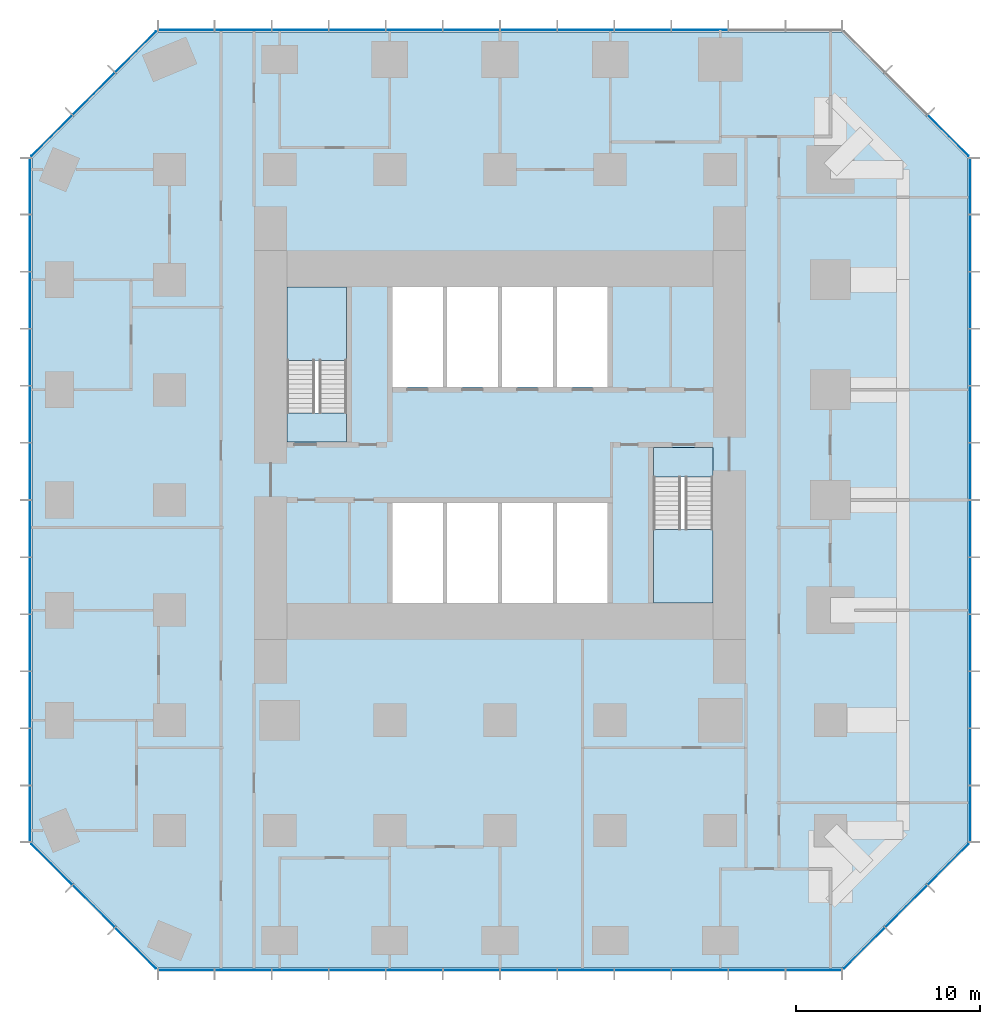
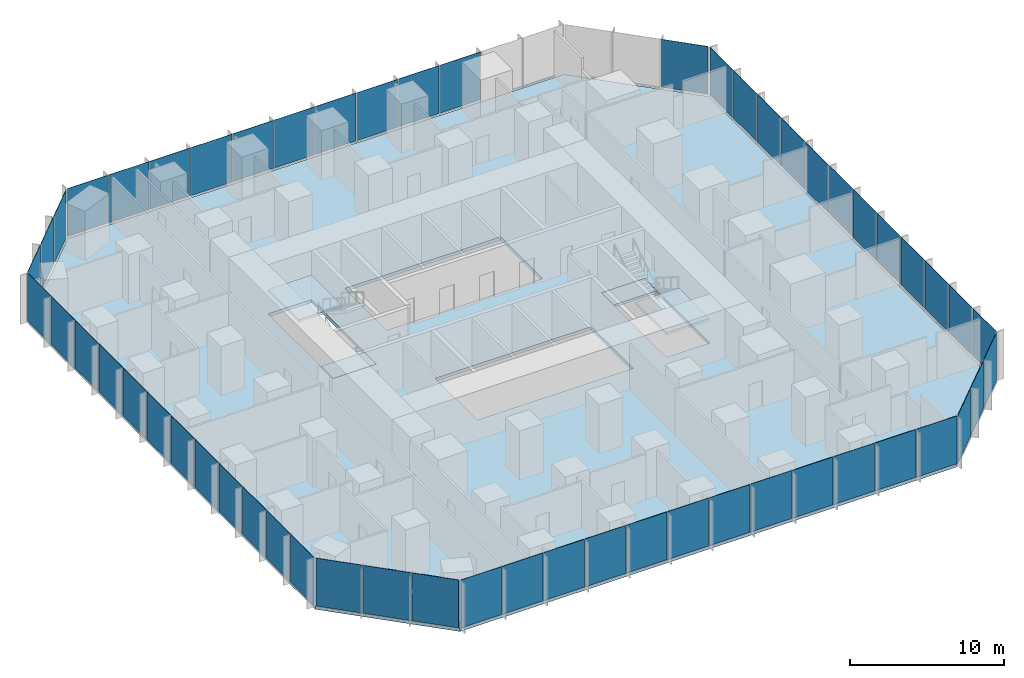
# One storey, part 7 of 12: 56 plates, 5 slabs, 10 elements without a shape of their own.
"""IFC4 building model written with IfcOpenShell, lengths in metres."""

from ifc_helpers import new_model, si_unit, direction, frame, origin, origin_2d, place, context, subcontext, project, spatial, polyline, rectangle, outline, extrude, material, layer, layer_set, type_object, element, aggregate, save


model = new_model("IFC4")

# Units and contexts
model_context = context("Model", 3, precision=1e-05, world=origin(), true_north=direction((0.0, 1.0)))
body_context = subcontext(model_context, "Body", "Model", "MODEL_VIEW")
ifc_project = project(units=[si_unit("LENGTHUNIT", "METRE"), si_unit("AREAUNIT", "SQUARE_METRE"), si_unit("VOLUMEUNIT", "CUBIC_METRE"), si_unit("PLANEANGLEUNIT", "RADIAN"), si_unit("MASSUNIT", "GRAM", prefix="KILO")], contexts=[model_context])

# Site, building, storey
site_placement = place(None, origin())
site = spatial("IfcSite", under=ifc_project, at=site_placement, CompositionType="ELEMENT")
building_placement = place(site_placement, origin())
building = spatial("IfcBuilding", under=site, at=building_placement, Name="Highveld Stack Headquarters", CompositionType="ELEMENT")
storey_placement = place(building_placement, frame((0.0, 0.0, 53.300048828125)))
storey = spatial("IfcBuildingStorey", under=building, at=storey_placement, Name="L12", CompositionType="ELEMENT", Elevation=53.300048828125)

# Curtain wall, plates
ifc_material_1 = material(Name="Aluminium bronze anodised", Category="aluminium")
ifc_layer_1 = layer(ifc_material_1, 0.199951171875)
ifc_layer_set_1 = layer_set([ifc_layer_1], Name="Aluminium bronze anodised")
curtain_wall_type_1 = type_object("IfcCurtainWallType", Name="CW1 TOWER UNITISED CURTAIN WALL", PredefinedType="NOTDEFINED", material=ifc_layer_set_1)
curtain_wall_1_placement = place(storey_placement, origin())
curtain_wall_1 = element("IfcCurtainWall", 1, at=curtain_wall_1_placement, inside=storey, type_object=curtain_wall_type_1, Name="Curtain wall CW1 L12 S", PredefinedType="NOTDEFINED")
ifc_material_2 = material(Name="Glass bronze tinted double glazed unit", Category="glass")
ifc_layer_2 = layer(ifc_material_2, 0.028076171875)
ifc_layer_set_2 = layer_set([ifc_layer_2], Name="Glass bronze tinted double glazed unit")
plate_type_1 = type_object("IfcPlateType", Name="CW1 PANEL BRONZE TINTED DOUBLE GLAZED UNIT", PredefinedType="CURTAIN_PANEL", material=ifc_layer_set_2)
plate_1_placement = place(storey_placement, frame((-11.09130859375, -25.60009765625, 0.10009765625), z_axis=(0.0, 0.0, 1.0), x_axis=(1.0, 0.0, 0.0)))
plate_1 = element("IfcPlate", 2, at=plate_1_placement, type_object=plate_type_1, Name="CW1 panel L12 1.1", PredefinedType="CURTAIN_PANEL", context=body_context, shape_type="SweptSolid", body=[
    extrude(rectangle(XDim=3.012939453125, YDim=0.028076171875, at=origin_2d()), origin(), (0.0, 0.0, 1.0), 3.800048828125),
])
plate_2_placement = place(storey_placement, frame((-7.9970703125, -25.60009765625, 0.10009765625), z_axis=(0.0, 0.0, 1.0), x_axis=(1.0, 0.0, 0.0)))
plate_2 = element("IfcPlate", 3, at=plate_2_placement, type_object=plate_type_1, Name="CW1 panel L12 2.1", PredefinedType="CURTAIN_PANEL", context=body_context, shape_type="SweptSolid", body=[
    extrude(rectangle(XDim=3.04541015625, YDim=0.028076171875, at=origin_2d()), origin(), (0.0, 0.0, 1.0), 3.800048828125),
])
plate_3_placement = place(storey_placement, frame((-4.88671875, -25.60009765625, 0.10009765625), z_axis=(0.0, 0.0, 1.0), x_axis=(1.0, 0.0, 0.0)))
plate_3 = element("IfcPlate", 4, at=plate_3_placement, type_object=plate_type_1, Name="CW1 panel L12 3.1", PredefinedType="CURTAIN_PANEL", context=body_context, shape_type="SweptSolid", body=[
    extrude(rectangle(XDim=3.04541015625, YDim=0.028076171875, at=origin_2d()), origin(), (0.0, 0.0, 1.0), 3.800048828125),
])
plate_4_placement = place(storey_placement, frame((-1.776123046875, -25.60009765625, 0.10009765625), z_axis=(0.0, 0.0, 1.0), x_axis=(1.0, 0.0, 0.0)))
plate_4 = element("IfcPlate", 5, at=plate_4_placement, type_object=plate_type_1, Name="CW1 panel L12 4.1", PredefinedType="CURTAIN_PANEL", context=body_context, shape_type="SweptSolid", body=[
    extrude(rectangle(XDim=3.04541015625, YDim=0.028076171875, at=origin_2d()), origin(), (0.0, 0.0, 1.0), 3.800048828125),
])
plate_5_placement = place(storey_placement, frame((1.334228515625, -25.60009765625, 0.10009765625), z_axis=(0.0, 0.0, 1.0), x_axis=(1.0, 0.0, 0.0)))
plate_5 = element("IfcPlate", 6, at=plate_5_placement, type_object=plate_type_1, Name="CW1 panel L12 5.1", PredefinedType="CURTAIN_PANEL", context=body_context, shape_type="SweptSolid", body=[
    extrude(rectangle(XDim=3.04541015625, YDim=0.028076171875, at=origin_2d()), origin(), (0.0, 0.0, 1.0), 3.800048828125),
])
plate_6_placement = place(storey_placement, frame((4.44482421875, -25.60009765625, 0.10009765625), z_axis=(0.0, 0.0, 1.0), x_axis=(1.0, 0.0, 0.0)))
plate_6 = element("IfcPlate", 7, at=plate_6_placement, type_object=plate_type_1, Name="CW1 panel L12 6.1", PredefinedType="CURTAIN_PANEL", context=body_context, shape_type="SweptSolid", body=[
    extrude(rectangle(XDim=3.04541015625, YDim=0.028076171875, at=origin_2d()), origin(), (0.0, 0.0, 1.0), 3.800048828125),
])
plate_7_placement = place(storey_placement, frame((7.55517578125, -25.60009765625, 0.10009765625), z_axis=(0.0, 0.0, 1.0), x_axis=(1.0, 0.0, 0.0)))
plate_7 = element("IfcPlate", 8, at=plate_7_placement, type_object=plate_type_1, Name="CW1 panel L12 7.1", PredefinedType="CURTAIN_PANEL", context=body_context, shape_type="SweptSolid", body=[
    extrude(rectangle(XDim=3.04541015625, YDim=0.028076171875, at=origin_2d()), origin(), (0.0, 0.0, 1.0), 3.800048828125),
])
plate_8_placement = place(storey_placement, frame((10.665771484375, -25.60009765625, 0.10009765625), z_axis=(0.0, 0.0, 1.0), x_axis=(1.0, 0.0, 0.0)))
plate_8 = element("IfcPlate", 9, at=plate_8_placement, type_object=plate_type_1, Name="CW1 panel L12 8.1", PredefinedType="CURTAIN_PANEL", context=body_context, shape_type="SweptSolid", body=[
    extrude(rectangle(XDim=3.04541015625, YDim=0.028076171875, at=origin_2d()), origin(), (0.0, 0.0, 1.0), 3.800048828125),
])
plate_9_placement = place(storey_placement, frame((13.776123046875, -25.60009765625, 0.10009765625), z_axis=(0.0, 0.0, 1.0), x_axis=(1.0, 0.0, 0.0)))
plate_9 = element("IfcPlate", 10, at=plate_9_placement, type_object=plate_type_1, Name="CW1 panel L12 9.1", PredefinedType="CURTAIN_PANEL", context=body_context, shape_type="SweptSolid", body=[
    extrude(rectangle(XDim=3.04541015625, YDim=0.028076171875, at=origin_2d()), origin(), (0.0, 0.0, 1.0), 3.800048828125),
])
plate_10_placement = place(storey_placement, frame((16.88671875, -25.60009765625, 0.10009765625), z_axis=(0.0, 0.0, 1.0), x_axis=(1.0, 0.0, 0.0)))
plate_10 = element("IfcPlate", 11, at=plate_10_placement, type_object=plate_type_1, Name="CW1 panel L12 10.1", PredefinedType="CURTAIN_PANEL", context=body_context, shape_type="SweptSolid", body=[
    extrude(rectangle(XDim=3.04541015625, YDim=0.028076171875, at=origin_2d()), origin(), (0.0, 0.0, 1.0), 3.800048828125),
])
plate_11_placement = place(storey_placement, frame((19.9970703125, -25.60009765625, 0.10009765625), z_axis=(0.0, 0.0, 1.0), x_axis=(1.0, 0.0, 0.0)))
plate_11 = element("IfcPlate", 12, at=plate_11_placement, type_object=plate_type_1, Name="CW1 panel L12 11.1", PredefinedType="CURTAIN_PANEL", context=body_context, shape_type="SweptSolid", body=[
    extrude(rectangle(XDim=3.04541015625, YDim=0.028076171875, at=origin_2d()), origin(), (0.0, 0.0, 1.0), 3.800048828125),
])
plate_12_placement = place(storey_placement, frame((23.09130859375, -25.60009765625, 0.10009765625), z_axis=(0.0, 0.0, 1.0), x_axis=(1.0, 0.0, 0.0)))
plate_12 = element("IfcPlate", 13, at=plate_12_placement, type_object=plate_type_1, Name="CW1 panel L12 12.1", PredefinedType="CURTAIN_PANEL", context=body_context, shape_type="SweptSolid", body=[
    extrude(rectangle(XDim=3.012939453125, YDim=0.028076171875, at=origin_2d()), origin(), (0.0, 0.0, 1.0), 3.800048828125),
])
aggregate(curtain_wall_1, [plate_1, plate_2, plate_3, plate_4, plate_5, plate_6, plate_7, plate_8, plate_9, plate_10, plate_11, plate_12])

curtain_wall_2_placement = place(storey_placement, origin())
curtain_wall_2 = element("IfcCurtainWall", 14, at=curtain_wall_2_placement, inside=storey, type_object=curtain_wall_type_1, Name="Curtain wall CW1 L12 E", PredefinedType="NOTDEFINED")
plate_13_placement = place(storey_placement, frame((31.60009765625, -17.09130859375, 0.10009765625), z_axis=(0.0, 0.0, 1.0), x_axis=(0.0, 1.0, 0.0)))
plate_13 = element("IfcPlate", 15, at=plate_13_placement, type_object=plate_type_1, Name="CW1 panel L12 1.1", PredefinedType="CURTAIN_PANEL", context=body_context, shape_type="SweptSolid", body=[
    extrude(rectangle(XDim=3.012939453125, YDim=0.028076171875, at=origin_2d()), origin(), (0.0, 0.0, 1.0), 3.800048828125),
])
plate_14_placement = place(storey_placement, frame((31.60009765625, -13.9970703125, 0.10009765625), z_axis=(0.0, 0.0, 1.0), x_axis=(0.0, 1.0, 0.0)))
plate_14 = element("IfcPlate", 16, at=plate_14_placement, type_object=plate_type_1, Name="CW1 panel L12 2.1", PredefinedType="CURTAIN_PANEL", context=body_context, shape_type="SweptSolid", body=[
    extrude(rectangle(XDim=3.04541015625, YDim=0.028076171875, at=origin_2d()), origin(), (0.0, 0.0, 1.0), 3.800048828125),
])
plate_15_placement = place(storey_placement, frame((31.60009765625, -10.88671875, 0.10009765625), z_axis=(0.0, 0.0, 1.0), x_axis=(0.0, 1.0, 0.0)))
plate_15 = element("IfcPlate", 17, at=plate_15_placement, type_object=plate_type_1, Name="CW1 panel L12 3.1", PredefinedType="CURTAIN_PANEL", context=body_context, shape_type="SweptSolid", body=[
    extrude(rectangle(XDim=3.04541015625, YDim=0.028076171875, at=origin_2d()), origin(), (0.0, 0.0, 1.0), 3.800048828125),
])
plate_16_placement = place(storey_placement, frame((31.60009765625, -7.776123046875, 0.10009765625), z_axis=(0.0, 0.0, 1.0), x_axis=(0.0, 1.0, 0.0)))
plate_16 = element("IfcPlate", 18, at=plate_16_placement, type_object=plate_type_1, Name="CW1 panel L12 4.1", PredefinedType="CURTAIN_PANEL", context=body_context, shape_type="SweptSolid", body=[
    extrude(rectangle(XDim=3.04541015625, YDim=0.028076171875, at=origin_2d()), origin(), (0.0, 0.0, 1.0), 3.800048828125),
])
plate_17_placement = place(storey_placement, frame((31.60009765625, -4.665771484375, 0.10009765625), z_axis=(0.0, 0.0, 1.0), x_axis=(0.0, 1.0, 0.0)))
plate_17 = element("IfcPlate", 19, at=plate_17_placement, type_object=plate_type_1, Name="CW1 panel L12 5.1", PredefinedType="CURTAIN_PANEL", context=body_context, shape_type="SweptSolid", body=[
    extrude(rectangle(XDim=3.04541015625, YDim=0.028076171875, at=origin_2d()), origin(), (0.0, 0.0, 1.0), 3.800048828125),
])
plate_18_placement = place(storey_placement, frame((31.60009765625, -1.55517578125, 0.10009765625), z_axis=(0.0, 0.0, 1.0), x_axis=(0.0, 1.0, 0.0)))
plate_18 = element("IfcPlate", 20, at=plate_18_placement, type_object=plate_type_1, Name="CW1 panel L12 6.1", PredefinedType="CURTAIN_PANEL", context=body_context, shape_type="SweptSolid", body=[
    extrude(rectangle(XDim=3.04541015625, YDim=0.028076171875, at=origin_2d()), origin(), (0.0, 0.0, 1.0), 3.800048828125),
])
plate_19_placement = place(storey_placement, frame((31.60009765625, 1.55517578125, 0.10009765625), z_axis=(0.0, 0.0, 1.0), x_axis=(0.0, 1.0, 0.0)))
plate_19 = element("IfcPlate", 21, at=plate_19_placement, type_object=plate_type_1, Name="CW1 panel L12 7.1", PredefinedType="CURTAIN_PANEL", context=body_context, shape_type="SweptSolid", body=[
    extrude(rectangle(XDim=3.04541015625, YDim=0.028076171875, at=origin_2d()), origin(), (0.0, 0.0, 1.0), 3.800048828125),
])
plate_20_placement = place(storey_placement, frame((31.60009765625, 4.665771484375, 0.10009765625), z_axis=(0.0, 0.0, 1.0), x_axis=(0.0, 1.0, 0.0)))
plate_20 = element("IfcPlate", 22, at=plate_20_placement, type_object=plate_type_1, Name="CW1 panel L12 8.1", PredefinedType="CURTAIN_PANEL", context=body_context, shape_type="SweptSolid", body=[
    extrude(rectangle(XDim=3.04541015625, YDim=0.028076171875, at=origin_2d()), origin(), (0.0, 0.0, 1.0), 3.800048828125),
])
plate_21_placement = place(storey_placement, frame((31.60009765625, 7.776123046875, 0.10009765625), z_axis=(0.0, 0.0, 1.0), x_axis=(0.0, 1.0, 0.0)))
plate_21 = element("IfcPlate", 23, at=plate_21_placement, type_object=plate_type_1, Name="CW1 panel L12 9.1", PredefinedType="CURTAIN_PANEL", context=body_context, shape_type="SweptSolid", body=[
    extrude(rectangle(XDim=3.04541015625, YDim=0.028076171875, at=origin_2d()), origin(), (0.0, 0.0, 1.0), 3.800048828125),
])
plate_22_placement = place(storey_placement, frame((31.60009765625, 10.88671875, 0.10009765625), z_axis=(0.0, 0.0, 1.0), x_axis=(0.0, 1.0, 0.0)))
plate_22 = element("IfcPlate", 24, at=plate_22_placement, type_object=plate_type_1, Name="CW1 panel L12 10.1", PredefinedType="CURTAIN_PANEL", context=body_context, shape_type="SweptSolid", body=[
    extrude(rectangle(XDim=3.04541015625, YDim=0.028076171875, at=origin_2d()), origin(), (0.0, 0.0, 1.0), 3.800048828125),
])
plate_23_placement = place(storey_placement, frame((31.60009765625, 13.9970703125, 0.10009765625), z_axis=(0.0, 0.0, 1.0), x_axis=(0.0, 1.0, 0.0)))
plate_23 = element("IfcPlate", 25, at=plate_23_placement, type_object=plate_type_1, Name="CW1 panel L12 11.1", PredefinedType="CURTAIN_PANEL", context=body_context, shape_type="SweptSolid", body=[
    extrude(rectangle(XDim=3.04541015625, YDim=0.028076171875, at=origin_2d()), origin(), (0.0, 0.0, 1.0), 3.800048828125),
])
plate_24_placement = place(storey_placement, frame((31.60009765625, 17.09130859375, 0.10009765625), z_axis=(0.0, 0.0, 1.0), x_axis=(0.0, 1.0, 0.0)))
plate_24 = element("IfcPlate", 26, at=plate_24_placement, type_object=plate_type_1, Name="CW1 panel L12 12.1", PredefinedType="CURTAIN_PANEL", context=body_context, shape_type="SweptSolid", body=[
    extrude(rectangle(XDim=3.012939453125, YDim=0.028076171875, at=origin_2d()), origin(), (0.0, 0.0, 1.0), 3.800048828125),
])
aggregate(curtain_wall_2, [plate_13, plate_14, plate_15, plate_16, plate_17, plate_18, plate_19, plate_20, plate_21, plate_22, plate_23, plate_24])

curtain_wall_3_placement = place(storey_placement, origin())
curtain_wall_3 = element("IfcCurtainWall", 27, at=curtain_wall_3_placement, inside=storey, type_object=curtain_wall_type_1, Name="Curtain wall CW1 L12 N", PredefinedType="NOTDEFINED")
plate_25_placement = place(storey_placement, frame((16.88671875, 25.60009765625, 0.10009765625), z_axis=(0.0, 0.0, 1.0), x_axis=(-1.0, 0.0, 0.0)))
plate_25 = element("IfcPlate", 28, at=plate_25_placement, type_object=plate_type_1, Name="CW1 panel L12 3.1", PredefinedType="CURTAIN_PANEL", context=body_context, shape_type="SweptSolid", body=[
    extrude(rectangle(XDim=3.04541015625, YDim=0.028076171875, at=origin_2d()), origin(), (0.0, 0.0, 1.0), 3.800048828125),
])
plate_26_placement = place(storey_placement, frame((13.776123046875, 25.60009765625, 0.10009765625), z_axis=(0.0, 0.0, 1.0), x_axis=(-1.0, 0.0, 0.0)))
plate_26 = element("IfcPlate", 29, at=plate_26_placement, type_object=plate_type_1, Name="CW1 panel L12 4.1", PredefinedType="CURTAIN_PANEL", context=body_context, shape_type="SweptSolid", body=[
    extrude(rectangle(XDim=3.04541015625, YDim=0.028076171875, at=origin_2d()), origin(), (0.0, 0.0, 1.0), 3.800048828125),
])
plate_27_placement = place(storey_placement, frame((10.665771484375, 25.60009765625, 0.10009765625), z_axis=(0.0, 0.0, 1.0), x_axis=(-1.0, 0.0, 0.0)))
plate_27 = element("IfcPlate", 30, at=plate_27_placement, type_object=plate_type_1, Name="CW1 panel L12 5.1", PredefinedType="CURTAIN_PANEL", context=body_context, shape_type="SweptSolid", body=[
    extrude(rectangle(XDim=3.04541015625, YDim=0.028076171875, at=origin_2d()), origin(), (0.0, 0.0, 1.0), 3.800048828125),
])
plate_28_placement = place(storey_placement, frame((7.55517578125, 25.60009765625, 0.10009765625), z_axis=(0.0, 0.0, 1.0), x_axis=(-1.0, 0.0, 0.0)))
plate_28 = element("IfcPlate", 31, at=plate_28_placement, type_object=plate_type_1, Name="CW1 panel L12 6.1", PredefinedType="CURTAIN_PANEL", context=body_context, shape_type="SweptSolid", body=[
    extrude(rectangle(XDim=3.04541015625, YDim=0.028076171875, at=origin_2d()), origin(), (0.0, 0.0, 1.0), 3.800048828125),
])
plate_29_placement = place(storey_placement, frame((4.44482421875, 25.60009765625, 0.10009765625), z_axis=(0.0, 0.0, 1.0), x_axis=(-1.0, 0.0, 0.0)))
plate_29 = element("IfcPlate", 32, at=plate_29_placement, type_object=plate_type_1, Name="CW1 panel L12 7.1", PredefinedType="CURTAIN_PANEL", context=body_context, shape_type="SweptSolid", body=[
    extrude(rectangle(XDim=3.04541015625, YDim=0.028076171875, at=origin_2d()), origin(), (0.0, 0.0, 1.0), 3.800048828125),
])
plate_30_placement = place(storey_placement, frame((1.334228515625, 25.60009765625, 0.10009765625), z_axis=(0.0, 0.0, 1.0), x_axis=(-1.0, 0.0, 0.0)))
plate_30 = element("IfcPlate", 33, at=plate_30_placement, type_object=plate_type_1, Name="CW1 panel L12 8.1", PredefinedType="CURTAIN_PANEL", context=body_context, shape_type="SweptSolid", body=[
    extrude(rectangle(XDim=3.04541015625, YDim=0.028076171875, at=origin_2d()), origin(), (0.0, 0.0, 1.0), 3.800048828125),
])
plate_31_placement = place(storey_placement, frame((-1.776123046875, 25.60009765625, 0.10009765625), z_axis=(0.0, 0.0, 1.0), x_axis=(-1.0, 0.0, 0.0)))
plate_31 = element("IfcPlate", 34, at=plate_31_placement, type_object=plate_type_1, Name="CW1 panel L12 9.1", PredefinedType="CURTAIN_PANEL", context=body_context, shape_type="SweptSolid", body=[
    extrude(rectangle(XDim=3.04541015625, YDim=0.028076171875, at=origin_2d()), origin(), (0.0, 0.0, 1.0), 3.800048828125),
])
plate_32_placement = place(storey_placement, frame((-4.88671875, 25.60009765625, 0.10009765625), z_axis=(0.0, 0.0, 1.0), x_axis=(-1.0, 0.0, 0.0)))
plate_32 = element("IfcPlate", 35, at=plate_32_placement, type_object=plate_type_1, Name="CW1 panel L12 10.1", PredefinedType="CURTAIN_PANEL", context=body_context, shape_type="SweptSolid", body=[
    extrude(rectangle(XDim=3.04541015625, YDim=0.028076171875, at=origin_2d()), origin(), (0.0, 0.0, 1.0), 3.800048828125),
])
plate_33_placement = place(storey_placement, frame((-7.9970703125, 25.60009765625, 0.10009765625), z_axis=(0.0, 0.0, 1.0), x_axis=(-1.0, 0.0, 0.0)))
plate_33 = element("IfcPlate", 36, at=plate_33_placement, type_object=plate_type_1, Name="CW1 panel L12 11.1", PredefinedType="CURTAIN_PANEL", context=body_context, shape_type="SweptSolid", body=[
    extrude(rectangle(XDim=3.04541015625, YDim=0.028076171875, at=origin_2d()), origin(), (0.0, 0.0, 1.0), 3.800048828125),
])
plate_34_placement = place(storey_placement, frame((-11.09130859375, 25.60009765625, 0.10009765625), z_axis=(0.0, 0.0, 1.0), x_axis=(-1.0, 0.0, 0.0)))
plate_34 = element("IfcPlate", 37, at=plate_34_placement, type_object=plate_type_1, Name="CW1 panel L12 12.1", PredefinedType="CURTAIN_PANEL", context=body_context, shape_type="SweptSolid", body=[
    extrude(rectangle(XDim=3.012939453125, YDim=0.028076171875, at=origin_2d()), origin(), (0.0, 0.0, 1.0), 3.800048828125),
])
aggregate(curtain_wall_3, [plate_25, plate_26, plate_27, plate_28, plate_29, plate_30, plate_31, plate_32, plate_33, plate_34])

curtain_wall_4_placement = place(storey_placement, origin())
curtain_wall_4 = element("IfcCurtainWall", 38, at=curtain_wall_4_placement, inside=storey, type_object=curtain_wall_type_1, Name="Curtain wall CW1 L12 W", PredefinedType="NOTDEFINED")
plate_35_placement = place(storey_placement, frame((-19.60009765625, 17.09130859375, 0.10009765625), z_axis=(0.0, 0.0, 1.0), x_axis=(0.0, -1.0, 0.0)))
plate_35 = element("IfcPlate", 39, at=plate_35_placement, type_object=plate_type_1, Name="CW1 panel L12 1.1", PredefinedType="CURTAIN_PANEL", context=body_context, shape_type="SweptSolid", body=[
    extrude(rectangle(XDim=3.012939453125, YDim=0.028076171875, at=origin_2d()), origin(), (0.0, 0.0, 1.0), 3.800048828125),
])
plate_36_placement = place(storey_placement, frame((-19.60009765625, 13.9970703125, 0.10009765625), z_axis=(0.0, 0.0, 1.0), x_axis=(0.0, -1.0, 0.0)))
plate_36 = element("IfcPlate", 40, at=plate_36_placement, type_object=plate_type_1, Name="CW1 panel L12 2.1", PredefinedType="CURTAIN_PANEL", context=body_context, shape_type="SweptSolid", body=[
    extrude(rectangle(XDim=3.04541015625, YDim=0.028076171875, at=origin_2d()), origin(), (0.0, 0.0, 1.0), 3.800048828125),
])
plate_37_placement = place(storey_placement, frame((-19.60009765625, 10.88671875, 0.10009765625), z_axis=(0.0, 0.0, 1.0), x_axis=(0.0, -1.0, 0.0)))
plate_37 = element("IfcPlate", 41, at=plate_37_placement, type_object=plate_type_1, Name="CW1 panel L12 3.1", PredefinedType="CURTAIN_PANEL", context=body_context, shape_type="SweptSolid", body=[
    extrude(rectangle(XDim=3.04541015625, YDim=0.028076171875, at=origin_2d()), origin(), (0.0, 0.0, 1.0), 3.800048828125),
])
plate_38_placement = place(storey_placement, frame((-19.60009765625, 7.776123046875, 0.10009765625), z_axis=(0.0, 0.0, 1.0), x_axis=(0.0, -1.0, 0.0)))
plate_38 = element("IfcPlate", 42, at=plate_38_placement, type_object=plate_type_1, Name="CW1 panel L12 4.1", PredefinedType="CURTAIN_PANEL", context=body_context, shape_type="SweptSolid", body=[
    extrude(rectangle(XDim=3.04541015625, YDim=0.028076171875, at=origin_2d()), origin(), (0.0, 0.0, 1.0), 3.800048828125),
])
plate_39_placement = place(storey_placement, frame((-19.60009765625, 4.665771484375, 0.10009765625), z_axis=(0.0, 0.0, 1.0), x_axis=(0.0, -1.0, 0.0)))
plate_39 = element("IfcPlate", 43, at=plate_39_placement, type_object=plate_type_1, Name="CW1 panel L12 5.1", PredefinedType="CURTAIN_PANEL", context=body_context, shape_type="SweptSolid", body=[
    extrude(rectangle(XDim=3.04541015625, YDim=0.028076171875, at=origin_2d()), origin(), (0.0, 0.0, 1.0), 3.800048828125),
])
plate_40_placement = place(storey_placement, frame((-19.60009765625, 1.55517578125, 0.10009765625), z_axis=(0.0, 0.0, 1.0), x_axis=(0.0, -1.0, 0.0)))
plate_40 = element("IfcPlate", 44, at=plate_40_placement, type_object=plate_type_1, Name="CW1 panel L12 6.1", PredefinedType="CURTAIN_PANEL", context=body_context, shape_type="SweptSolid", body=[
    extrude(rectangle(XDim=3.04541015625, YDim=0.028076171875, at=origin_2d()), origin(), (0.0, 0.0, 1.0), 3.800048828125),
])
plate_41_placement = place(storey_placement, frame((-19.60009765625, -1.55517578125, 0.10009765625), z_axis=(0.0, 0.0, 1.0), x_axis=(0.0, -1.0, 0.0)))
plate_41 = element("IfcPlate", 45, at=plate_41_placement, type_object=plate_type_1, Name="CW1 panel L12 7.1", PredefinedType="CURTAIN_PANEL", context=body_context, shape_type="SweptSolid", body=[
    extrude(rectangle(XDim=3.04541015625, YDim=0.028076171875, at=origin_2d()), origin(), (0.0, 0.0, 1.0), 3.800048828125),
])
plate_42_placement = place(storey_placement, frame((-19.60009765625, -4.665771484375, 0.10009765625), z_axis=(0.0, 0.0, 1.0), x_axis=(0.0, -1.0, 0.0)))
plate_42 = element("IfcPlate", 46, at=plate_42_placement, type_object=plate_type_1, Name="CW1 panel L12 8.1", PredefinedType="CURTAIN_PANEL", context=body_context, shape_type="SweptSolid", body=[
    extrude(rectangle(XDim=3.04541015625, YDim=0.028076171875, at=origin_2d()), origin(), (0.0, 0.0, 1.0), 3.800048828125),
])
plate_43_placement = place(storey_placement, frame((-19.60009765625, -7.776123046875, 0.10009765625), z_axis=(0.0, 0.0, 1.0), x_axis=(0.0, -1.0, 0.0)))
plate_43 = element("IfcPlate", 47, at=plate_43_placement, type_object=plate_type_1, Name="CW1 panel L12 9.1", PredefinedType="CURTAIN_PANEL", context=body_context, shape_type="SweptSolid", body=[
    extrude(rectangle(XDim=3.04541015625, YDim=0.028076171875, at=origin_2d()), origin(), (0.0, 0.0, 1.0), 3.800048828125),
])
plate_44_placement = place(storey_placement, frame((-19.60009765625, -10.88671875, 0.10009765625), z_axis=(0.0, 0.0, 1.0), x_axis=(0.0, -1.0, 0.0)))
plate_44 = element("IfcPlate", 48, at=plate_44_placement, type_object=plate_type_1, Name="CW1 panel L12 10.1", PredefinedType="CURTAIN_PANEL", context=body_context, shape_type="SweptSolid", body=[
    extrude(rectangle(XDim=3.04541015625, YDim=0.028076171875, at=origin_2d()), origin(), (0.0, 0.0, 1.0), 3.800048828125),
])
plate_45_placement = place(storey_placement, frame((-19.60009765625, -13.9970703125, 0.10009765625), z_axis=(0.0, 0.0, 1.0), x_axis=(0.0, -1.0, 0.0)))
plate_45 = element("IfcPlate", 49, at=plate_45_placement, type_object=plate_type_1, Name="CW1 panel L12 11.1", PredefinedType="CURTAIN_PANEL", context=body_context, shape_type="SweptSolid", body=[
    extrude(rectangle(XDim=3.04541015625, YDim=0.028076171875, at=origin_2d()), origin(), (0.0, 0.0, 1.0), 3.800048828125),
])
plate_46_placement = place(storey_placement, frame((-19.60009765625, -17.09130859375, 0.10009765625), z_axis=(0.0, 0.0, 1.0), x_axis=(0.0, -1.0, 0.0)))
plate_46 = element("IfcPlate", 50, at=plate_46_placement, type_object=plate_type_1, Name="CW1 panel L12 12.1", PredefinedType="CURTAIN_PANEL", context=body_context, shape_type="SweptSolid", body=[
    extrude(rectangle(XDim=3.012939453125, YDim=0.028076171875, at=origin_2d()), origin(), (0.0, 0.0, 1.0), 3.800048828125),
])
aggregate(curtain_wall_4, [plate_35, plate_36, plate_37, plate_38, plate_39, plate_40, plate_41, plate_42, plate_43, plate_44, plate_45, plate_46])

ifc_material_3 = material(Name="Aluminium bronze anodised", Category="aluminium")
ifc_layer_3 = layer(ifc_material_3, 0.199951171875)
ifc_layer_set_3 = layer_set([ifc_layer_3], Name="Aluminium bronze anodised")
curtain_wall_type_2 = type_object("IfcCurtainWallType", Name="CW2 TOWER CHAMFER UNITISED CURTAIN WALL", PredefinedType="NOTDEFINED", material=ifc_layer_set_3)
curtain_wall_5_placement = place(storey_placement, origin())
curtain_wall_5 = element("IfcCurtainWall", 51, at=curtain_wall_5_placement, inside=storey, type_object=curtain_wall_type_2, Name="Curtain wall CW2 L12 SE", PredefinedType="NOTDEFINED")
ifc_material_4 = material(Name="Glass bronze tinted double glazed unit", Category="glass")
ifc_layer_4 = layer(ifc_material_4, 0.028076171875)
ifc_layer_set_4 = layer_set([ifc_layer_4], Name="Glass bronze tinted double glazed unit")
plate_type_2 = type_object("IfcPlateType", Name="CW2 PANEL BRONZE TINTED DOUBLE GLAZED UNIT", PredefinedType="CURTAIN_PANEL", material=ifc_layer_set_4)
plate_47_placement = place(storey_placement, frame((25.8427734375, -24.419921875, 0.10009765625), z_axis=(0.0, 0.0, 1.0), x_axis=(0.707106781187, 0.707106781187, 0.0)))
plate_47 = element("IfcPlate", 52, at=plate_47_placement, type_object=plate_type_2, Name="CW2 panel L12 1.1", PredefinedType="CURTAIN_PANEL", context=body_context, shape_type="SweptSolid", body=[
    extrude(rectangle(XDim=3.1376953125, YDim=0.028076171875, at=origin_2d()), origin(), (0.0, 0.0, 1.0), 3.800048828125),
])
plate_48_placement = place(storey_placement, frame((28.13134765625, -22.13134765625, 0.10009765625), z_axis=(0.0, 0.0, 1.0), x_axis=(0.707106781187, 0.707106781187, 0.0)))
plate_48 = element("IfcPlate", 53, at=plate_48_placement, type_object=plate_type_2, Name="CW2 panel L12 2.1", PredefinedType="CURTAIN_PANEL", context=body_context, shape_type="SweptSolid", body=[
    extrude(rectangle(XDim=3.205322265625, YDim=0.028076171875, at=origin_2d()), origin(), (0.0, 0.0, 1.0), 3.800048828125),
])
plate_49_placement = place(storey_placement, frame((30.419921875, -19.8427734375, 0.10009765625), z_axis=(0.0, 0.0, 1.0), x_axis=(0.707106781187, 0.707106781187, 0.0)))
plate_49 = element("IfcPlate", 54, at=plate_49_placement, type_object=plate_type_2, Name="CW2 panel L12 3.1", PredefinedType="CURTAIN_PANEL", context=body_context, shape_type="SweptSolid", body=[
    extrude(rectangle(XDim=3.1376953125, YDim=0.028076171875, at=origin_2d()), origin(), (0.0, 0.0, 1.0), 3.800048828125),
])
aggregate(curtain_wall_5, [plate_47, plate_48, plate_49])

# Curtain wall, plate
curtain_wall_6_placement = place(storey_placement, origin())
curtain_wall_6 = element("IfcCurtainWall", 55, at=curtain_wall_6_placement, inside=storey, type_object=curtain_wall_type_2, Name="Curtain wall CW2 L12 NE", PredefinedType="NOTDEFINED")
plate_50_placement = place(storey_placement, frame((30.419921875, 19.8427734375, 0.10009765625), z_axis=(0.0, 0.0, 1.0), x_axis=(-0.707106781187, 0.707106781187, 0.0)))
plate_50 = element("IfcPlate", 56, at=plate_50_placement, type_object=plate_type_2, Name="CW2 panel L12 1.1", PredefinedType="CURTAIN_PANEL", context=body_context, shape_type="SweptSolid", body=[
    extrude(rectangle(XDim=3.1376953125, YDim=0.028076171875, at=origin_2d()), origin(), (0.0, 0.0, 1.0), 3.800048828125),
])
aggregate(curtain_wall_6, [plate_50])

# Curtain wall, plates
curtain_wall_7_placement = place(storey_placement, origin())
curtain_wall_7 = element("IfcCurtainWall", 57, at=curtain_wall_7_placement, inside=storey, type_object=curtain_wall_type_2, Name="Curtain wall CW2 L12 NW", PredefinedType="NOTDEFINED")
plate_51_placement = place(storey_placement, frame((-13.8427734375, 24.419921875, 0.10009765625), z_axis=(0.0, 0.0, 1.0), x_axis=(-0.707106781187, -0.707106781187, 0.0)))
plate_51 = element("IfcPlate", 58, at=plate_51_placement, type_object=plate_type_2, Name="CW2 panel L12 1.1", PredefinedType="CURTAIN_PANEL", context=body_context, shape_type="SweptSolid", body=[
    extrude(rectangle(XDim=3.1376953125, YDim=0.028076171875, at=origin_2d()), origin(), (0.0, 0.0, 1.0), 3.800048828125),
])
plate_52_placement = place(storey_placement, frame((-16.13134765625, 22.13134765625, 0.10009765625), z_axis=(0.0, 0.0, 1.0), x_axis=(-0.707106781187, -0.707106781187, 0.0)))
plate_52 = element("IfcPlate", 59, at=plate_52_placement, type_object=plate_type_2, Name="CW2 panel L12 2.1", PredefinedType="CURTAIN_PANEL", context=body_context, shape_type="SweptSolid", body=[
    extrude(rectangle(XDim=3.205322265625, YDim=0.028076171875, at=origin_2d()), origin(), (0.0, 0.0, 1.0), 3.800048828125),
])
plate_53_placement = place(storey_placement, frame((-18.419921875, 19.8427734375, 0.10009765625), z_axis=(0.0, 0.0, 1.0), x_axis=(-0.707106781187, -0.707106781187, 0.0)))
plate_53 = element("IfcPlate", 60, at=plate_53_placement, type_object=plate_type_2, Name="CW2 panel L12 3.1", PredefinedType="CURTAIN_PANEL", context=body_context, shape_type="SweptSolid", body=[
    extrude(rectangle(XDim=3.1376953125, YDim=0.028076171875, at=origin_2d()), origin(), (0.0, 0.0, 1.0), 3.800048828125),
])
aggregate(curtain_wall_7, [plate_51, plate_52, plate_53])

curtain_wall_8_placement = place(storey_placement, origin())
curtain_wall_8 = element("IfcCurtainWall", 61, at=curtain_wall_8_placement, inside=storey, type_object=curtain_wall_type_2, Name="Curtain wall CW2 L12 SW", PredefinedType="NOTDEFINED")
plate_54_placement = place(storey_placement, frame((-18.419921875, -19.8427734375, 0.10009765625), z_axis=(0.0, 0.0, 1.0), x_axis=(0.707106781187, -0.707106781187, 0.0)))
plate_54 = element("IfcPlate", 62, at=plate_54_placement, type_object=plate_type_2, Name="CW2 panel L12 1.1", PredefinedType="CURTAIN_PANEL", context=body_context, shape_type="SweptSolid", body=[
    extrude(rectangle(XDim=3.1376953125, YDim=0.028076171875, at=origin_2d()), origin(), (0.0, 0.0, 1.0), 3.800048828125),
])
plate_55_placement = place(storey_placement, frame((-16.13134765625, -22.13134765625, 0.10009765625), z_axis=(0.0, 0.0, 1.0), x_axis=(0.707106781187, -0.707106781187, 0.0)))
plate_55 = element("IfcPlate", 63, at=plate_55_placement, type_object=plate_type_2, Name="CW2 panel L12 2.1", PredefinedType="CURTAIN_PANEL", context=body_context, shape_type="SweptSolid", body=[
    extrude(rectangle(XDim=3.205322265625, YDim=0.028076171875, at=origin_2d()), origin(), (0.0, 0.0, 1.0), 3.800048828125),
])
plate_56_placement = place(storey_placement, frame((-13.8427734375, -24.419921875, 0.10009765625), z_axis=(0.0, 0.0, 1.0), x_axis=(0.707106781187, -0.707106781187, 0.0)))
plate_56 = element("IfcPlate", 64, at=plate_56_placement, type_object=plate_type_2, Name="CW2 panel L12 3.1", PredefinedType="CURTAIN_PANEL", context=body_context, shape_type="SweptSolid", body=[
    extrude(rectangle(XDim=3.1376953125, YDim=0.028076171875, at=origin_2d()), origin(), (0.0, 0.0, 1.0), 3.800048828125),
])
aggregate(curtain_wall_8, [plate_54, plate_55, plate_56])

# Slab
ifc_material_5 = material(Name="Concrete C60/75", Category="concrete")
ifc_layer_5 = layer(ifc_material_5, 0.25)
ifc_layer_set_5 = layer_set([ifc_layer_5], Name="Concrete C60/75")
slab_type_1 = type_object("IfcSlabType", Name="PT FLAT SLAB 250", PredefinedType="FLOOR", material=ifc_layer_set_5)
slab_1_placement = place(storey_placement, frame((0.0, 0.0, -0.25)))
element("IfcSlab", 65, at=slab_1_placement, inside=storey, type_object=slab_type_1, Name="Floor slab L12", PredefinedType="FLOOR", context=body_context, shape_type="SweptSolid", body=[
    extrude(outline(polyline([(-12.621337890625, -25.5), (24.621337890625, -25.5), (31.5, -18.621337890625), (31.5, 18.621337890625), (24.621337890625, 25.5), (-12.621337890625, 25.5), (-19.5, 18.621337890625), (-19.5, -18.621337890625), (-12.621337890625, -25.5)]), holes=[polyline([(0.14990234375, 6.14990234375), (11.85009765625, 6.14990234375), (11.85009765625, 11.60009765625), (0.14990234375, 11.60009765625), (0.14990234375, 6.14990234375)]), polyline([(0.14990234375, -5.60009765625), (11.85009765625, -5.60009765625), (11.85009765625, -0.14990234375), (0.14990234375, -0.14990234375), (0.14990234375, -5.60009765625)]), polyline([(-5.60009765625, 3.14990234375), (-2.35009765625, 3.14990234375), (-2.35009765625, 11.60009765625), (-5.60009765625, 11.60009765625), (-5.60009765625, 3.14990234375)]), polyline([(14.35009765625, -5.60009765625), (17.60009765625, -5.60009765625), (17.60009765625, 2.85009765625), (14.35009765625, 2.85009765625), (14.35009765625, -5.60009765625)])]), origin(), (0.0, 0.0, 1.0), 0.25),
])

# Stair, slabs
ifc_material_6 = material(Name="Concrete C40/50, precast", Category="concrete")
stair_type_1 = type_object("IfcStairType", Name="STAIR S1 HALF TURN 1500", PredefinedType="HALF_TURN_STAIR", material=ifc_material_6)
stair_1_placement = place(storey_placement, origin())
stair_1 = element("IfcStair", 66, at=stair_1_placement, inside=storey, type_object=stair_type_1, Name="Stair S1 L12", PredefinedType="HALF_TURN_STAIR")
ifc_material_7 = material(Name="Concrete C40/50, precast", Category="concrete")
ifc_layer_6 = layer(ifc_material_7, 0.199951171875)
ifc_layer_set_6 = layer_set([ifc_layer_6], Name="Concrete C40/50, precast")
slab_type_2 = type_object("IfcSlabType", Name="STAIR LANDING 200", PredefinedType="LANDING", material=ifc_layer_set_6)
slab_2_placement = place(storey_placement, frame((0.0, 0.0, 1.75)))
slab_2 = element("IfcSlab", 67, at=slab_2_placement, type_object=slab_type_2, Name="S1 landing 1", PredefinedType="LANDING", context=body_context, shape_type="SweptSolid", body=[
    extrude(outline(polyline([(-5.60009765625, 7.610107421875), (-2.35009765625, 7.610107421875), (-2.35009765625, 11.60009765625), (-5.60009765625, 11.60009765625), (-5.60009765625, 7.610107421875)])), origin(), (0.0, 0.0, 1.0), 0.199951171875),
])
slab_3_placement = place(storey_placement, frame((0.0, 0.0, -0.199951171875)))
slab_3 = element("IfcSlab", 68, at=slab_3_placement, type_object=slab_type_2, Name="S1 landing 2", PredefinedType="LANDING", context=body_context, shape_type="SweptSolid", body=[
    extrude(outline(polyline([(-5.60009765625, 3.14990234375), (-2.35009765625, 3.14990234375), (-2.35009765625, 4.75), (-5.60009765625, 4.75), (-5.60009765625, 3.14990234375)])), origin(), (0.0, 0.0, 1.0), 0.199951171875),
])
aggregate(stair_1, [slab_2, slab_3])

ifc_material_8 = material(Name="Concrete C40/50, precast", Category="concrete")
stair_type_2 = type_object("IfcStairType", Name="STAIR S2 HALF TURN 1500", PredefinedType="HALF_TURN_STAIR", material=ifc_material_8)
stair_2_placement = place(storey_placement, origin())
stair_2 = element("IfcStair", 69, at=stair_2_placement, inside=storey, type_object=stair_type_2, Name="Stair S2 L12", PredefinedType="HALF_TURN_STAIR")
slab_4_placement = place(storey_placement, frame((0.0, 0.0, 1.75)))
slab_4 = element("IfcSlab", 70, at=slab_4_placement, type_object=slab_type_2, Name="S2 landing 1", PredefinedType="LANDING", context=body_context, shape_type="SweptSolid", body=[
    extrude(outline(polyline([(14.35009765625, -5.60009765625), (17.60009765625, -5.60009765625), (17.60009765625, -1.610107421875), (14.35009765625, -1.610107421875), (14.35009765625, -5.60009765625)])), origin(), (0.0, 0.0, 1.0), 0.199951171875),
])
slab_5_placement = place(storey_placement, frame((0.0, 0.0, -0.199951171875)))
slab_5 = element("IfcSlab", 71, at=slab_5_placement, type_object=slab_type_2, Name="S2 landing 2", PredefinedType="LANDING", context=body_context, shape_type="SweptSolid", body=[
    extrude(outline(polyline([(14.35009765625, 1.25), (17.60009765625, 1.25), (17.60009765625, 2.85009765625), (14.35009765625, 2.85009765625), (14.35009765625, 1.25)])), origin(), (0.0, 0.0, 1.0), 0.199951171875),
])
aggregate(stair_2, [slab_4, slab_5])

save(model, "model.ifc")
